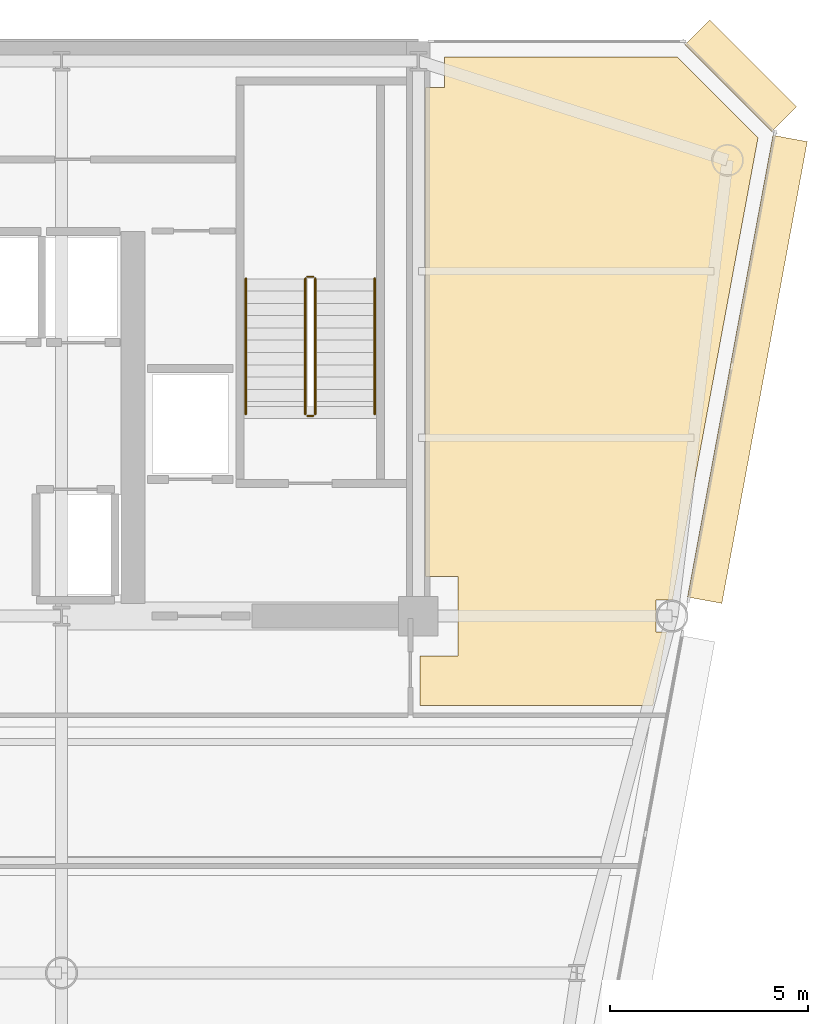
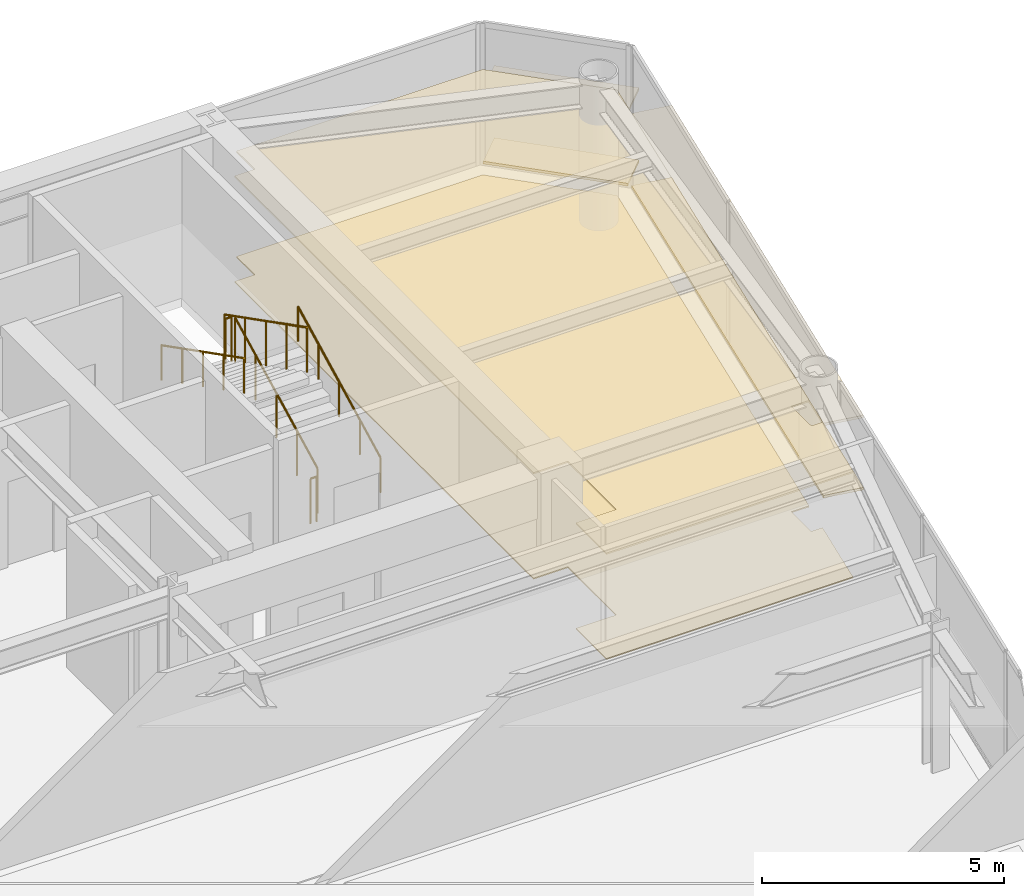
# One storey, part 16 of 16: 6 coverings, 6 railings.
"""IFC4 building model written with IfcOpenShell, lengths in metres."""

from ifc_helpers import new_model, si_unit, direction, frame, origin, origin_2d, place, context, subcontext, project, spatial, polyline, rectangle, circle, outline, extrude, source, transform, mapped, material, layer, layer_set, type_object, element, save


model = new_model("IFC4")

# Units and contexts
model_context = context("Model", 3, precision=1e-05, world=origin(), true_north=direction((0.0, 1.0)))
body_context = subcontext(model_context, "Body", "Model", "MODEL_VIEW")
ifc_project = project(units=[si_unit("LENGTHUNIT", "METRE"), si_unit("AREAUNIT", "SQUARE_METRE"), si_unit("VOLUMEUNIT", "CUBIC_METRE"), si_unit("PLANEANGLEUNIT", "RADIAN"), si_unit("MASSUNIT", "GRAM", prefix="KILO")], contexts=[model_context])

# Site, building, storey
site_placement = place(None, origin())
site = spatial("IfcSite", under=ifc_project, at=site_placement, CompositionType="ELEMENT")
building_placement = place(site_placement, origin())
building = spatial("IfcBuilding", under=site, at=building_placement, Name="Vaeldorn Concourse Tower", CompositionType="ELEMENT")
storey_placement = place(building_placement, frame((0.0, 0.0, 207.0)))
storey = spatial("IfcBuildingStorey", under=building, at=storey_placement, Name="L53", CompositionType="ELEMENT", Elevation=207.0)

# Coverings
ifc_material_1 = material(Name="Acoustic Mineral Fibre Board", Category="gypsum")
ifc_layer_1 = layer(ifc_material_1, 0.0400390625)
ifc_layer_set_1 = layer_set([ifc_layer_1], Name="Acoustic Mineral Fibre Board")
covering_type_1 = type_object("IfcCoveringType", Name="COV-CEIL-ACOUSTIC", PredefinedType="CEILING", material=ifc_layer_set_1)
covering_1_placement = place(storey_placement, frame((0.0, 0.0, 2.64990234375)))
element("IfcCovering", 1, at=covering_1_placement, inside=storey, type_object=covering_type_1, Name="Suspended Acoustic Ceiling L53-4", PredefinedType="CEILING", context=body_context, shape_type="SweptSolid", body=[
    extrude(outline(polyline([(54.179931640625, 49.840087890625), (54.659912109375, 49.840087890625), (54.659912109375, 50.60009765625), (60.5341796875, 50.60009765625), (62.568359375, 48.56591796875), (60.48828125, 37.320068359375), (60.48828125, 37.320068359375), (60.41162109375, 36.906494140625), (59.993408203125, 36.906494140625), (59.993408203125, 36.093505859375), (60.26123046875, 36.093505859375), (59.91845703125, 34.239990234375), (54.0400390625, 34.239990234375), (54.0400390625, 35.5), (55.0, 35.5), (55.0, 37.5), (54.179931640625, 37.5), (54.179931640625, 49.840087890625)])), origin(), (0.0, 0.0, 1.0), 0.0400390625),
])
ifc_material_2 = material(Name="Honed Limestone Terrazzo Flooring", Category="masonry")
ifc_layer_2 = layer(ifc_material_2, 0.0400390625)
ifc_layer_set_2 = layer_set([ifc_layer_2], Name="Honed Limestone Terrazzo Flooring")
covering_type_2 = type_object("IfcCoveringType", Name="COV-FLOOR-STONE", PredefinedType="FLOORING", material=ifc_layer_set_2)
covering_2_placement = place(storey_placement, origin())
element("IfcCovering", 2, at=covering_2_placement, inside=storey, type_object=covering_type_2, Name="Floor Finish Covering L53-4", PredefinedType="FLOORING", context=body_context, shape_type="SweptSolid", body=[
    extrude(outline(polyline([(54.179931640625, 49.840087890625), (54.659912109375, 49.840087890625), (54.659912109375, 50.60009765625), (60.5341796875, 50.60009765625), (62.568359375, 48.56591796875), (60.48828125, 37.320068359375), (60.48828125, 37.320068359375), (60.41162109375, 36.906494140625), (59.993408203125, 36.906494140625), (59.993408203125, 36.093505859375), (60.26123046875, 36.093505859375), (59.91845703125, 34.239990234375), (54.0400390625, 34.239990234375), (54.0400390625, 35.5), (55.0, 35.5), (55.0, 37.5), (54.179931640625, 37.5), (54.179931640625, 49.840087890625)])), origin(), (0.0, 0.0, 1.0), 0.030029296875),
])

# Railings
ifc_material_3 = material(Name="Anodised Bronze Aluminium", Category="aluminium")
railing_type_1 = type_object("IfcRailingType", Name="RL-STAIR-GUARD", PredefinedType="GUARDRAIL", material=ifc_material_3)
railing_1_placement = place(storey_placement, frame((51.39990234375, 41.60009765625, 0.158447265625)))
element("IfcRailing", 3, at=railing_1_placement, inside=storey, type_object=railing_type_1, Name="L53 ST-2 stair guard 1", PredefinedType="GUARDRAIL", context=body_context, shape_type="SweptSolid", body=[
    extrude(circle(Radius=0.02392578125, at=origin_2d()), frame((0.0, 0.0, 1.1259765625), z_axis=(0.0, 0.890581635807, 0.454823427236), x_axis=(-1.0, 0.0, 0.0)), (0.0, 0.0, 1.0), 3.828857421875),
    extrude(circle(Radius=0.02099609375, at=origin_2d()), origin(), (0.0, 0.0, 1.0), 1.101806640625),
    extrude(circle(Radius=0.02099609375, at=origin_2d()), frame((0.0, 0.8525390625, 0.435302734375)), (0.0, 0.0, 1.0), 1.101806640625),
    extrude(circle(Radius=0.02099609375, at=origin_2d()), frame((0.0, 1.705078125, 0.87060546875)), (0.0, 0.0, 1.0), 1.101806640625),
    extrude(circle(Radius=0.02099609375, at=origin_2d()), frame((0.0, 2.557373046875, 1.30615234375)), (0.0, 0.0, 1.0), 1.101806640625),
    extrude(circle(Radius=0.02099609375, at=origin_2d()), frame((0.0, 3.409912109375, 1.741455078125)), (0.0, 0.0, 1.0), 1.101806640625),
])
railing_2_placement = place(storey_placement, frame((51.35009765625, 45.06005859375, 1.89990234375)))
element("IfcRailing", 4, at=railing_2_placement, inside=storey, type_object=railing_type_1, Name="L53 ST-2 stair guard 2", PredefinedType="GUARDRAIL", context=body_context, shape_type="SweptSolid", body=[
    extrude(circle(Radius=0.02392578125, at=origin_2d()), frame((0.0, 0.0, 1.1259765625), z_axis=(-1.0, 0.0, 0.0), x_axis=(0.0, -1.0, 0.0)), (0.0, 0.0, 1.0), 0.150146484375),
    extrude(circle(Radius=0.02099609375, at=origin_2d()), origin(), (0.0, 0.0, 1.0), 1.101806640625),
    extrude(circle(Radius=0.02099609375, at=origin_2d()), frame((-0.150146484375, 0.0, 0.0)), (0.0, 0.0, 1.0), 1.101806640625),
])
railing_3_placement = place(storey_placement, frame((51.14990234375, 45.010009765625, 2.058349609375)))
element("IfcRailing", 5, at=railing_3_placement, inside=storey, type_object=railing_type_1, Name="L53 ST-2 stair guard 3", PredefinedType="GUARDRAIL", context=body_context, shape_type="SweptSolid", body=[
    extrude(circle(Radius=0.02392578125, at=origin_2d()), frame((0.0, 0.0, 1.1259765625), z_axis=(0.0, -0.890555807335, 0.454873997962), x_axis=(1.0, 0.0, 0.0)), (0.0, 0.0, 1.0), 3.828857421875),
    extrude(circle(Radius=0.02099609375, at=origin_2d()), origin(), (0.0, 0.0, 1.0), 1.101806640625),
    extrude(circle(Radius=0.02099609375, at=origin_2d()), frame((0.0, -0.8525390625, 0.435546875)), (0.0, 0.0, 1.0), 1.101806640625),
    extrude(circle(Radius=0.02099609375, at=origin_2d()), frame((0.0, -1.705078125, 0.870849609375)), (0.0, 0.0, 1.0), 1.101806640625),
    extrude(circle(Radius=0.02099609375, at=origin_2d()), frame((0.0, -2.557373046875, 1.30615234375)), (0.0, 0.0, 1.0), 1.101806640625),
    extrude(circle(Radius=0.02099609375, at=origin_2d()), frame((0.0, -3.409912109375, 1.74169921875)), (0.0, 0.0, 1.0), 1.101806640625),
])
railing_4_placement = place(storey_placement, frame((51.35009765625, 41.550048828125, 0.0)))
element("IfcRailing", 6, at=railing_4_placement, inside=storey, type_object=railing_type_1, Name="L53 ST-2 stair guard 4", PredefinedType="GUARDRAIL", context=body_context, shape_type="SweptSolid", body=[
    extrude(circle(Radius=0.02392578125, at=origin_2d()), frame((0.0, 0.0, 1.1259765625), z_axis=(-1.0, 0.0, 0.0), x_axis=(0.0, -1.0, 0.0)), (0.0, 0.0, 1.0), 0.150146484375),
    extrude(circle(Radius=0.02099609375, at=origin_2d()), origin(), (0.0, 0.0, 1.0), 1.101806640625),
    extrude(circle(Radius=0.02099609375, at=origin_2d()), frame((-0.150146484375, 0.0, 0.0)), (0.0, 0.0, 1.0), 1.101806640625),
])
railing_type_2 = type_object("IfcRailingType", Name="RL-STAIR-HANDRAIL", PredefinedType="HANDRAIL", material=ifc_material_3)
railing_5_placement = place(storey_placement, frame((52.89990234375, 41.60009765625, 0.158447265625)))
element("IfcRailing", 7, at=railing_5_placement, inside=storey, type_object=railing_type_2, Name="L53 ST-2 stair handrail 1", PredefinedType="HANDRAIL", context=body_context, shape_type="SweptSolid", body=[
    extrude(circle(Radius=0.02392578125, at=origin_2d()), frame((0.0, 0.0, 0.8759765625), z_axis=(0.0, 0.890581635807, 0.454823427236), x_axis=(-1.0, 0.0, 0.0)), (0.0, 0.0, 1.0), 3.828857421875),
    extrude(circle(Radius=0.02099609375, at=origin_2d()), origin(), (0.0, 0.0, 1.0), 0.851806640625),
    extrude(circle(Radius=0.02099609375, at=origin_2d()), frame((0.0, 0.8525390625, 0.435302734375)), (0.0, 0.0, 1.0), 0.851806640625),
    extrude(circle(Radius=0.02099609375, at=origin_2d()), frame((0.0, 1.705078125, 0.87060546875)), (0.0, 0.0, 1.0), 0.851806640625),
    extrude(circle(Radius=0.02099609375, at=origin_2d()), frame((0.0, 2.557373046875, 1.30615234375)), (0.0, 0.0, 1.0), 0.851806640625),
    extrude(circle(Radius=0.02099609375, at=origin_2d()), frame((0.0, 3.409912109375, 1.741455078125)), (0.0, 0.0, 1.0), 0.851806640625),
])
railing_6_placement = place(storey_placement, frame((49.64990234375, 45.010009765625, 2.058349609375)))
element("IfcRailing", 8, at=railing_6_placement, inside=storey, type_object=railing_type_2, Name="L53 ST-2 stair handrail 2", PredefinedType="HANDRAIL", context=body_context, shape_type="SweptSolid", body=[
    extrude(circle(Radius=0.02392578125, at=origin_2d()), frame((0.0, 0.0, 0.8759765625), z_axis=(0.0, -0.890555807335, 0.454873997962), x_axis=(1.0, 0.0, 0.0)), (0.0, 0.0, 1.0), 3.828857421875),
    extrude(circle(Radius=0.02099609375, at=origin_2d()), origin(), (0.0, 0.0, 1.0), 0.851806640625),
    extrude(circle(Radius=0.02099609375, at=origin_2d()), frame((0.0, -0.8525390625, 0.435546875)), (0.0, 0.0, 1.0), 0.851806640625),
    extrude(circle(Radius=0.02099609375, at=origin_2d()), frame((0.0, -1.705078125, 0.870849609375)), (0.0, 0.0, 1.0), 0.851806640625),
    extrude(circle(Radius=0.02099609375, at=origin_2d()), frame((0.0, -2.557373046875, 1.30615234375)), (0.0, 0.0, 1.0), 0.851806640625),
    extrude(circle(Radius=0.02099609375, at=origin_2d()), frame((0.0, -3.409912109375, 1.74169921875)), (0.0, 0.0, 1.0), 0.851806640625),
])

# Coverings
ifc_layer_3 = layer(ifc_material_3, 0.06494140625)
ifc_layer_set_3 = layer_set([ifc_layer_3], Name="Anodised Bronze Aluminium")
covering_type_3 = type_object("IfcCoveringType", Name="SD-BRONZE-SUNSHADE", PredefinedType="USERDEFINED", material=ifc_layer_set_3)
shared_shape_1 = source(origin(), body_context, "Body", "SweptSolid", [
    extrude(rectangle(XDim=3.0927734375, YDim=0.8798828125, at=origin_2d()), origin(), (0.0, 0.0, 1.0), 0.06494140625),
])
for number, where, z_axis, x_axis, name in (
    (9, (62.1328125, 50.1328125, 0.047607421875), (0.0, 0.0, 1.0), (-0.707106781187, 0.707106781187, 0.0), "Horizontal Bronze Sunshade L53-E08.1.1"),
    (10, (62.1328125, 50.1328125, 1.867431640625), (0.0, 0.0, 1.0), (-0.707106781187, 0.707106781187, 0.0), "Horizontal Bronze Sunshade L53-E08.1.2"),
):
    element("IfcCovering", number, at=place(storey_placement, frame(where, z_axis=z_axis, x_axis=x_axis)), inside=storey, type_object=covering_type_3, Name=name, ObjectType="SUNSHADE", PredefinedType="USERDEFINED", context=body_context, shape_type="MappedRepresentation", body=[
        mapped(shared_shape_1, transform((0.0, 0.0, 0.0), scale=1.0)),
    ])
shared_shape_2 = source(origin(), body_context, "Body", "SweptSolid", [
    extrude(rectangle(XDim=11.844482421875, YDim=0.8798828125, at=origin_2d()), origin(), (0.0, 0.0, 1.0), 0.06494140625),
])
for number, where, z_axis, x_axis, name in (
    (11, (62.301513671875, 42.72509765625, 0.047607421875), (0.0, 0.0, 1.0), (0.181892293686, 0.983318459858, 0.0), "Horizontal Bronze Sunshade L53-E07.2.1"),
    (12, (62.301513671875, 42.72509765625, 1.867431640625), (0.0, 0.0, 1.0), (0.181892293686, 0.983318459858, 0.0), "Horizontal Bronze Sunshade L53-E07.2.2"),
):
    element("IfcCovering", number, at=place(storey_placement, frame(where, z_axis=z_axis, x_axis=x_axis)), inside=storey, type_object=covering_type_3, Name=name, ObjectType="SUNSHADE", PredefinedType="USERDEFINED", context=body_context, shape_type="MappedRepresentation", body=[
        mapped(shared_shape_2, transform((0.0, 0.0, 0.0), scale=1.0)),
    ])

save(model, "model.ifc")
